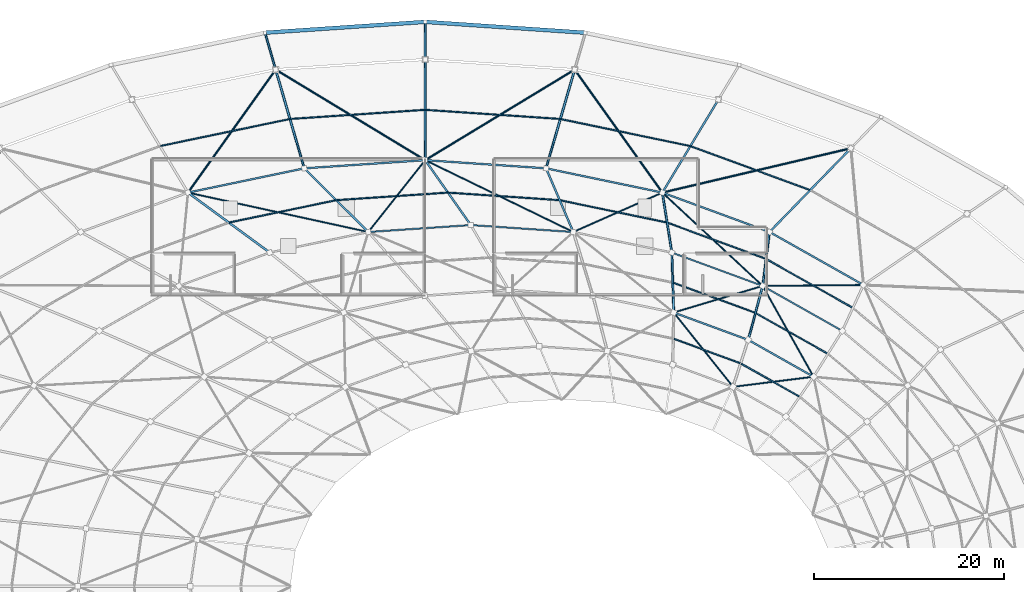
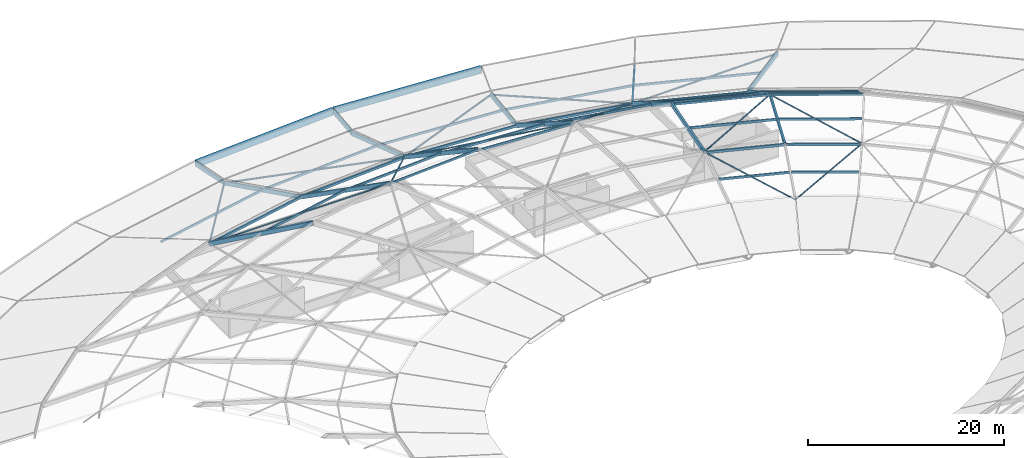
# One storey, part 8 of 30: 57 members, 2 beams.
"""IFC4 building model written with IfcOpenShell, lengths in metres."""

from ifc_helpers import new_model, si_unit, direction, frame, origin, origin_2d, place, context, subcontext, project, spatial, rectangle, hollow_rectangle, hollow_circle, extrude, material, material_profile, profile_set, type_object, element, save


model = new_model("IFC4")

# Units and contexts
model_context = context("Model", 3, precision=1e-05, world=origin(), true_north=direction((0.0, 1.0)))
body_context = subcontext(model_context, "Body", "Model", "MODEL_VIEW")
ifc_project = project(units=[si_unit("LENGTHUNIT", "METRE"), si_unit("AREAUNIT", "SQUARE_METRE"), si_unit("VOLUMEUNIT", "CUBIC_METRE"), si_unit("PLANEANGLEUNIT", "RADIAN"), si_unit("MASSUNIT", "GRAM", prefix="KILO")], contexts=[model_context])

# Site, building, storey
site_placement = place(None, origin())
site = spatial("IfcSite", under=ifc_project, at=site_placement, CompositionType="ELEMENT")
building_placement = place(site_placement, origin())
building = spatial("IfcBuilding", under=site, at=building_placement, Name="Namkhue Oval Health Centre", CompositionType="ELEMENT")
storey_placement = place(building_placement, frame((0.0, 0.0, 26.39990234375)))
storey = spatial("IfcBuildingStorey", under=building, at=storey_placement, Name="RF", CompositionType="ELEMENT", Elevation=26.39990234375)

# Beams
ifc_material_1 = material(Name="Precast architectural concrete C35/45 (TCVN B40)", Category="concrete")
ifc_material_profile_1 = material_profile(ifc_material_1, rectangle(XDim=0.39990234375, YDim=0.75, at=origin_2d()), Name="RC 400x750")
ifc_profile_set_1 = profile_set([ifc_material_profile_1], Name="Precast architectural concrete C35/45 (TCVN B40)")
beam_type = type_object("IfcBeamType", Name="CONCRETE EDGE BAND 400X750", PredefinedType="SPANDREL", material=ifc_profile_set_1)
beam_1_placement = place(storey_placement, frame((103.2158203125, 117.661376953125, 0.7001953125), z_axis=(-0.997715163, 0.067560739492, 0.0), x_axis=(-0.067560739492, -0.997715163, 0.0)))
element("IfcBeam", 1, at=beam_1_placement, inside=storey, type_object=beam_type, Name="Elliptical Roof Concrete Fascia Band 8", PredefinedType="SPANDREL", context=body_context, shape_type="SweptSolid", body=[
    extrude(rectangle(XDim=0.39990234375, YDim=0.75, at=origin_2d()), origin(), (0.0, 0.0, 1.0), 16.814208984375),
])
beam_2_placement = place(storey_placement, frame((86.360107421875, 118.79736328125, 0.7001953125), z_axis=(-0.997715229273, -0.067559760777, 0.0), x_axis=(0.067559760777, -0.997715229273, 0.0)))
element("IfcBeam", 2, at=beam_2_placement, inside=storey, type_object=beam_type, Name="Elliptical Roof Concrete Fascia Band 9", PredefinedType="SPANDREL", context=body_context, shape_type="SweptSolid", body=[
    extrude(rectangle(XDim=0.39990234375, YDim=0.75, at=origin_2d()), origin(), (0.0, 0.0, 1.0), 16.814453125),
])

# Members
ifc_material_2 = material(Name="Structural steel EN 10025-2 S355JR (TCVN 5575:2024)", Category="steel")
ifc_material_profile_2 = material_profile(ifc_material_2, hollow_circle(Radius=0.084228515625, WallThickness=0.008056640625, at=origin_2d()), Name="CHS 168.3x8")
ifc_profile_set_2 = profile_set([ifc_material_profile_2], Name="Structural steel EN 10025-2 S355JR (TCVN 5575:2024)")
member_type_1 = type_object("IfcMemberType", Name="DIAGONAL BRACE CHS 168", PredefinedType="BRACE", material=ifc_profile_set_2)
member_1_placement = place(storey_placement, frame((132.497314453125, 91.111328125, 3.789306640625), z_axis=(-0.952219233501, -0.009190709665, 0.30527702535), x_axis=(0.009651434537, -0.999953423821, 0.0)))
element("IfcMember", 3, at=member_1_placement, inside=storey, type_object=member_type_1, Name="Gridshell Diagonal Brace K2-5", PredefinedType="BRACE", context=body_context, shape_type="SweptSolid", body=[
    extrude(hollow_circle(Radius=0.084228515625, WallThickness=0.008056640625, at=origin_2d()), origin(), (0.0, 0.0, 1.0), 11.0771484375),
])
member_2_placement = place(storey_placement, frame((111.384521484375, 100.813232421875, 3.787109375), z_axis=(0.712553929293, -0.663036320099, 0.229455303011), x_axis=(0.681211590717, 0.732086585502, 0.0)))
element("IfcMember", 4, at=member_2_placement, inside=storey, type_object=member_type_1, Name="Gridshell Diagonal Brace K2-6", PredefinedType="BRACE", context=body_context, shape_type="SweptSolid", body=[
    extrude(hollow_circle(Radius=0.084228515625, WallThickness=0.008056640625, at=origin_2d()), origin(), (0.0, 0.0, 1.0), 14.756591796875),
])
member_3_placement = place(storey_placement, frame((111.337158203125, 100.82177734375, 3.78955078125), z_axis=(-0.868007919865, -0.384020996285, 0.314785840636), x_axis=(0.40458921007, -0.914498535316, 0.0)))
element("IfcMember", 5, at=member_3_placement, inside=storey, type_object=member_type_1, Name="Gridshell Diagonal Brace K2-7", PredefinedType="BRACE", context=body_context, shape_type="SweptSolid", body=[
    extrude(hollow_circle(Radius=0.084228515625, WallThickness=0.008056640625, at=origin_2d()), origin(), (0.0, 0.0, 1.0), 10.740966796875),
])
member_4_placement = place(storey_placement, frame((86.426513671875, 104.234130859375, 3.785888671875), z_axis=(0.882889202682, -0.428276884017, 0.192576131448), x_axis=(0.43644626971, 0.899730322739, 0.0)))
element("IfcMember", 6, at=member_4_placement, inside=storey, type_object=member_type_1, Name="Gridshell Diagonal Brace K2-8", PredefinedType="BRACE", context=body_context, shape_type="SweptSolid", body=[
    extrude(hollow_circle(Radius=0.084228515625, WallThickness=0.008056640625, at=origin_2d()), origin(), (0.0, 0.0, 1.0), 17.59521484375),
])
member_5_placement = place(storey_placement, frame((86.38232421875, 104.224853515625, 3.7900390625), z_axis=(-0.585476240579, -0.739379576204, 0.332468666208), x_axis=(0.783976634545, -0.620790332148, 0.0)))
element("IfcMember", 7, at=member_5_placement, inside=storey, type_object=member_type_1, Name="Gridshell Diagonal Brace K2-9", PredefinedType="BRACE", context=body_context, shape_type="SweptSolid", body=[
    extrude(hollow_circle(Radius=0.084228515625, WallThickness=0.008056640625, at=origin_2d()), origin(), (0.0, 0.0, 1.0), 10.166748046875),
])
member_6_placement = place(storey_placement, frame((61.4658203125, 100.826904296875, 3.785400390625), z_axis=(0.962304376613, -0.210341858229, 0.172414005892), x_axis=(0.213539706388, 0.976934385614, 0.0)))
element("IfcMember", 8, at=member_6_placement, inside=storey, type_object=member_type_1, Name="Gridshell Diagonal Brace K2-10", PredefinedType="BRACE", context=body_context, shape_type="SweptSolid", body=[
    extrude(hollow_circle(Radius=0.084228515625, WallThickness=0.008056640625, at=origin_2d()), origin(), (0.0, 0.0, 1.0), 19.658447265625),
])
member_7_placement = place(storey_placement, frame((121.935302734375, 90.9833984375, 7.17431640625), z_axis=(0.479108458223, -0.855387632038, -0.196893586018), x_axis=(0.872466277254, 0.48867432412, 0.0)))
element("IfcMember", 9, at=member_7_placement, inside=storey, type_object=member_type_1, Name="Gridshell Diagonal Brace K3-5", PredefinedType="BRACE", context=body_context, shape_type="SweptSolid", body=[
    extrude(hollow_circle(Radius=0.084228515625, WallThickness=0.008056640625, at=origin_2d()), origin(), (0.0, 0.0, 1.0), 11.11376953125),
])
member_8_placement = place(storey_placement, frame((121.892822265625, 91.000732421875, 7.173583984375), z_axis=(-0.93472879475, -0.279354384537, -0.219643365722), x_axis=(0.286346909213, -0.958126008197, 0.0)))
element("IfcMember", 10, at=member_8_placement, inside=storey, type_object=member_type_1, Name="Gridshell Diagonal Brace K3-6", PredefinedType="BRACE", context=body_context, shape_type="SweptSolid", body=[
    extrude(hollow_circle(Radius=0.084228515625, WallThickness=0.008056640625, at=origin_2d()), origin(), (0.0, 0.0, 1.0), 9.9560546875),
])
member_9_placement = place(storey_placement, frame((127.24658203125, 81.44775390625, 4.968994140625), z_axis=(-0.921882377736, -0.115415759663, -0.369881175569), x_axis=(0.124225981993, -0.99225395207, 0.0)))
element("IfcMember", 11, at=member_9_placement, inside=storey, type_object=member_type_1, Name="Gridshell Diagonal Brace K4-5", PredefinedType="BRACE", context=body_context, shape_type="SweptSolid", body=[
    extrude(hollow_circle(Radius=0.084228515625, WallThickness=0.008056640625, at=origin_2d()), origin(), (0.0, 0.0, 1.0), 9.1318359375),
])
member_10_placement = place(storey_placement, frame((112.576171875, 88.18896484375, 4.970458984375), z_axis=(0.590639796835, -0.740030635229, -0.321713054314), x_axis=(0.781581695279, 0.623802896439, 0.0)))
element("IfcMember", 12, at=member_10_placement, inside=storey, type_object=member_type_1, Name="Gridshell Diagonal Brace K4-6", PredefinedType="BRACE", context=body_context, shape_type="SweptSolid", body=[
    extrude(hollow_circle(Radius=0.084228515625, WallThickness=0.008056640625, at=origin_2d()), origin(), (0.0, 0.0, 1.0), 10.508056640625),
])
ifc_material_profile_3 = material_profile(ifc_material_2, hollow_circle(Radius=0.109619140625, WallThickness=0.010009765625, at=origin_2d()), Name="CHS 219.1x10")
ifc_profile_set_3 = profile_set([ifc_material_profile_3], Name="Structural steel EN 10025-2 S355JR (TCVN 5575:2024)")
member_type_2 = type_object("IfcMemberType", Name="DIAGONAL BRACE CHS 219", PredefinedType="BRACE", material=ifc_profile_set_3)
member_11_placement = place(storey_placement, frame((131.17236328125, 105.489990234375, 0.28515625), z_axis=(-0.959417449288, -0.225537703519, 0.169265774131), x_axis=(0.228839759926, -0.973464105284, 0.0)))
element("IfcMember", 13, at=member_11_placement, inside=storey, type_object=member_type_2, Name="Gridshell Diagonal Brace K1-6", PredefinedType="BRACE", context=body_context, shape_type="SweptSolid", body=[
    extrude(hollow_circle(Radius=0.109619140625, WallThickness=0.010009765625, at=origin_2d()), origin(), (0.0, 0.0, 1.0), 20.616943359375),
])
member_12_placement = place(storey_placement, frame((102.149169921875, 113.7509765625, 0.28662109375), z_axis=(0.567118199003, -0.795073490057, 0.215023472601), x_axis=(0.81411658814, 0.580701455926, 0.0)))
element("IfcMember", 14, at=member_12_placement, inside=storey, type_object=member_type_2, Name="Gridshell Diagonal Brace K1-7", PredefinedType="BRACE", context=body_context, shape_type="SweptSolid", body=[
    extrude(hollow_circle(Radius=0.109619140625, WallThickness=0.010009765625, at=origin_2d()), origin(), (0.0, 0.0, 1.0), 16.217041015625),
])
for number, where, z_axis, x_axis, name in (
    (15, (102.10693359375, 113.759521484375, 0.28564453125), (-0.840280951517, -0.508901626836, 0.186941318925), (0.518034005705, -0.855360022992, 0.0), "Gridshell Diagonal Brace K1-8"),
    (16, (70.693115234375, 113.759521484375, 0.28564453125), (0.840280951517, -0.508901626836, 0.186941318925), (0.518034005705, 0.855360022992, 0.0), "Gridshell Diagonal Brace K1-9"),
):
    element("IfcMember", number, at=place(storey_placement, frame(where, z_axis=z_axis, x_axis=x_axis)), inside=storey, type_object=member_type_2, Name=name, PredefinedType="BRACE", context=body_context, shape_type="SweptSolid", body=[
        extrude(hollow_circle(Radius=0.109619140625, WallThickness=0.010009765625, at=origin_2d()), origin(), (0.0, 0.0, 1.0), 18.662353515625),
    ])
member_13_placement = place(storey_placement, frame((70.65087890625, 113.7509765625, 0.28662109375), z_axis=(-0.567118199003, -0.795073490057, 0.215023472601), x_axis=(0.81411658814, -0.580701455926, 0.0)))
element("IfcMember", 17, at=member_13_placement, inside=storey, type_object=member_type_2, Name="Gridshell Diagonal Brace K1-10", PredefinedType="BRACE", context=body_context, shape_type="SweptSolid", body=[
    extrude(hollow_circle(Radius=0.109619140625, WallThickness=0.010009765625, at=origin_2d()), origin(), (0.0, 0.0, 1.0), 16.217041015625),
])
ifc_material_3 = material(Name="Glulam timber GL28h", Category="wood")
ifc_material_profile_4 = material_profile(ifc_material_3, rectangle(XDim=0.199951171875, YDim=0.47998046875, at=origin_2d()), Name="GL28h 200x480")
ifc_profile_set_4 = profile_set([ifc_material_profile_4], Name="Glulam timber GL28h")
member_type_3 = type_object("IfcMemberType", Name="GRIDSHELL ARCH RIB GL28H 200X480", PredefinedType="USERDEFINED", material=ifc_profile_set_4)
member_14_placement = place(storey_placement, frame((131.201171875, 105.49658203125, 0.300048828125), z_axis=(-0.670283112557, -0.689648163836, 0.274054664507), x_axis=(0.717103089559, -0.69696711468, 0.0)))
element("IfcMember", 18, at=member_14_placement, inside=storey, type_object=member_type_3, Name="Gridshell Glulam Arch Rib K1-6", ObjectType="ARCH_SEGMENT", PredefinedType="USERDEFINED", context=body_context, shape_type="SweptSolid", body=[
    extrude(rectangle(XDim=0.199951171875, YDim=0.47998046875, at=origin_2d()), origin(), (0.0, 0.0, 1.0), 12.771240234375),
])
member_15_placement = place(storey_placement, frame((122.640869140625, 96.68896484375, 3.800048828125), z_axis=(-0.108121532761, -0.852983200976, 0.510616679131), x_axis=(0.992061871493, -0.125750718205, 0.0)))
element("IfcMember", 19, at=member_15_placement, inside=storey, type_object=member_type_3, Name="Gridshell Glulam Arch Rib K2-6", ObjectType="ARCH_SEGMENT", PredefinedType="USERDEFINED", context=body_context, shape_type="SweptSolid", body=[
    extrude(rectangle(XDim=0.199951171875, YDim=0.47998046875, at=origin_2d()), origin(), (0.0, 0.0, 1.0), 6.658935546875),
])
member_16_placement = place(storey_placement, frame((121.9208984375, 91.009033203125, 7.2001953125), z_axis=(-0.242164612504, -0.904724192275, -0.350471734043), x_axis=(0.965993994619, -0.258564503288, 0.0)))
element("IfcMember", 20, at=member_16_placement, inside=storey, type_object=member_type_3, Name="Gridshell Glulam Arch Rib K3-6", ObjectType="ARCH_SEGMENT", PredefinedType="USERDEFINED", context=body_context, shape_type="SweptSolid", body=[
    extrude(rectangle(XDim=0.199951171875, YDim=0.47998046875, at=origin_2d()), origin(), (0.0, 0.0, 1.0), 6.27783203125),
])
member_17_placement = place(storey_placement, frame((117.259521484375, 110.619873046875, 0.300048828125), z_axis=(-0.493424598626, -0.818989626124, 0.292896155269), x_axis=(0.856554457361, -0.516056645705, 0.0)))
element("IfcMember", 21, at=member_17_placement, inside=storey, type_object=member_type_3, Name="Gridshell Glulam Arch Rib K1-7", ObjectType="ARCH_SEGMENT", PredefinedType="USERDEFINED", context=body_context, shape_type="SweptSolid", body=[
    extrude(rectangle(XDim=0.199951171875, YDim=0.47998046875, at=origin_2d()), origin(), (0.0, 0.0, 1.0), 11.94970703125),
])
member_18_placement = place(storey_placement, frame((111.36328125, 100.833251953125, 3.800048828125), z_axis=(0.137826828537, -0.871958765955, 0.469778326246), x_axis=(0.987736927248, 0.156127392059, 0.0)))
element("IfcMember", 22, at=member_18_placement, inside=storey, type_object=member_type_3, Name="Gridshell Glulam Arch Rib K2-7", ObjectType="ARCH_SEGMENT", PredefinedType="USERDEFINED", context=body_context, shape_type="SweptSolid", body=[
    extrude(rectangle(XDim=0.199951171875, YDim=0.47998046875, at=origin_2d()), origin(), (0.0, 0.0, 1.0), 7.23779296875),
])
member_19_placement = place(storey_placement, frame((112.36083984375, 94.522216796875, 7.2001953125), z_axis=(0.029575150119, -0.943848926635, -0.329050929471), x_axis=(0.999509431928, 0.031319251058, 0.0)))
element("IfcMember", 23, at=member_19_placement, inside=storey, type_object=member_type_3, Name="Gridshell Glulam Arch Rib K3-7", ObjectType="ARCH_SEGMENT", PredefinedType="USERDEFINED", context=body_context, shape_type="SweptSolid", body=[
    extrude(rectangle(XDim=0.199951171875, YDim=0.47998046875, at=origin_2d()), origin(), (0.0, 0.0, 1.0), 6.6865234375),
])
member_20_placement = place(storey_placement, frame((102.132080078125, 113.774658203125, 0.300048828125), z_axis=(-0.264420751952, -0.913939660438, 0.307889530538), x_axis=(0.960603761476, -0.277921595848, 0.0)))
element("IfcMember", 24, at=member_20_placement, inside=storey, type_object=member_type_3, Name="Gridshell Glulam Arch Rib K1-8", ObjectType="ARCH_SEGMENT", PredefinedType="USERDEFINED", context=body_context, shape_type="SweptSolid", body=[
    extrude(rectangle(XDim=0.199951171875, YDim=0.47998046875, at=origin_2d()), origin(), (0.0, 0.0, 1.0), 11.36767578125),
])
member_21_placement = place(storey_placement, frame((99.126220703125, 103.38525390625, 3.800048828125), z_axis=(0.35593328521, -0.833335143138, 0.422923203064), x_axis=(0.919627945779, 0.392790582045, 0.0)))
element("IfcMember", 25, at=member_21_placement, inside=storey, type_object=member_type_3, Name="Gridshell Glulam Arch Rib K2-8", ObjectType="ARCH_SEGMENT", PredefinedType="USERDEFINED", context=body_context, shape_type="SweptSolid", body=[
    extrude(rectangle(XDim=0.199951171875, YDim=0.47998046875, at=origin_2d()), origin(), (0.0, 0.0, 1.0), 8.03955078125),
])
member_22_placement = place(storey_placement, frame((86.39990234375, 114.840087890625, 0.300048828125), z_axis=(0.0, -0.949513771196, 0.313725354903), x_axis=(1.0, 0.0, 0.0)))
element("IfcMember", 26, at=member_22_placement, inside=storey, type_object=member_type_3, Name="Gridshell Glulam Arch Rib K1-9", ObjectType="ARCH_SEGMENT", PredefinedType="USERDEFINED", context=body_context, shape_type="SweptSolid", body=[
    extrude(rectangle(XDim=0.199951171875, YDim=0.47998046875, at=origin_2d()), origin(), (0.0, 0.0, 1.0), 11.15625),
])
member_23_placement = place(storey_placement, frame((86.39990234375, 104.2470703125, 3.800048828125), z_axis=(0.532469200349, -0.75776858887, 0.377178096397), x_axis=(0.818200247827, 0.574933347838, 0.0)))
element("IfcMember", 27, at=member_23_placement, inside=storey, type_object=member_type_3, Name="Gridshell Glulam Arch Rib K2-9", ObjectType="ARCH_SEGMENT", PredefinedType="USERDEFINED", context=body_context, shape_type="SweptSolid", body=[
    extrude(rectangle(XDim=0.199951171875, YDim=0.47998046875, at=origin_2d()), origin(), (0.0, 0.0, 1.0), 9.0146484375),
])
member_24_placement = place(storey_placement, frame((70.66796875, 113.774658203125, 0.300048828125), z_axis=(0.264420751952, -0.913939660438, 0.307889530538), x_axis=(0.960603761476, 0.277921595848, 0.0)))
element("IfcMember", 28, at=member_24_placement, inside=storey, type_object=member_type_3, Name="Gridshell Glulam Arch Rib K1-10", ObjectType="ARCH_SEGMENT", PredefinedType="USERDEFINED", context=body_context, shape_type="SweptSolid", body=[
    extrude(rectangle(XDim=0.199951171875, YDim=0.47998046875, at=origin_2d()), origin(), (0.0, 0.0, 1.0), 11.36767578125),
])
member_25_placement = place(storey_placement, frame((73.673828125, 103.38525390625, 3.800048828125), z_axis=(0.66768885933, -0.663842530261, 0.336904559396), x_axis=(0.705061255078, 0.709146407019, 0.0)))
element("IfcMember", 29, at=member_25_placement, inside=storey, type_object=member_type_3, Name="Gridshell Glulam Arch Rib K2-10", ObjectType="ARCH_SEGMENT", PredefinedType="USERDEFINED", context=body_context, shape_type="SweptSolid", body=[
    extrude(rectangle(XDim=0.199951171875, YDim=0.47998046875, at=origin_2d()), origin(), (0.0, 0.0, 1.0), 10.09228515625),
])
ifc_material_profile_5 = material_profile(ifc_material_3, rectangle(XDim=0.219970703125, YDim=0.52001953125, at=origin_2d()), Name="GL28h 220x520")
ifc_profile_set_5 = profile_set([ifc_material_profile_5], Name="Glulam timber GL28h")
member_type_4 = type_object("IfcMemberType", Name="GRIDSHELL ARCH RIB GL28H 220X520", PredefinedType="USERDEFINED", material=ifc_profile_set_5)
member_26_placement = place(storey_placement, frame((61.436767578125, 100.833251953125, 3.800048828125), z_axis=(0.768216272486, -0.563598428942, 0.30364546692), x_axis=(0.591527338139, 0.806284942334, 0.0)))
element("IfcMember", 30, at=member_26_placement, inside=storey, type_object=member_type_4, Name="Gridshell Glulam Arch Rib K2-11", ObjectType="ARCH_SEGMENT", PredefinedType="USERDEFINED", context=body_context, shape_type="SweptSolid", body=[
    extrude(rectangle(XDim=0.219970703125, YDim=0.52001953125, at=origin_2d()), origin(), (0.0, 0.0, 1.0), 11.19775390625),
])
ifc_material_profile_6 = material_profile(ifc_material_3, rectangle(XDim=0.199951171875, YDim=0.47998046875, at=origin_2d()), Name="GL28h 200x480")
ifc_profile_set_6 = profile_set([ifc_material_profile_6], Name="Glulam timber GL28h")
member_type_5 = type_object("IfcMemberType", Name="GRIDSHELL CANTILEVER RIB GL28H 200X480", PredefinedType="USERDEFINED", material=ifc_profile_set_6)
member_27_placement = place(storey_placement, frame((86.39990234375, 118.800048828125, 0.7001953125), z_axis=(0.0, -0.994933409171, -0.100536119459), x_axis=(1.0, 0.0, 0.0)))
element("IfcMember", 31, at=member_27_placement, inside=storey, type_object=member_type_5, Name="Gridshell Glulam Arch Rib K0-9", ObjectType="ARCH_SEGMENT", PredefinedType="USERDEFINED", context=body_context, shape_type="SweptSolid", body=[
    extrude(rectangle(XDim=0.199951171875, YDim=0.47998046875, at=origin_2d()), origin(), (0.0, 0.0, 1.0), 3.980224609375),
])
member_28_placement = place(storey_placement, frame((69.544189453125, 117.65869140625, 0.7001953125), z_axis=(0.27658233831, -0.955930571405, -0.098483261458), x_axis=(0.960600330565, 0.27793345412, 0.0)))
element("IfcMember", 32, at=member_28_placement, inside=storey, type_object=member_type_5, Name="Gridshell Glulam Arch Rib K0-10", ObjectType="ARCH_SEGMENT", PredefinedType="USERDEFINED", context=body_context, shape_type="SweptSolid", body=[
    extrude(rectangle(XDim=0.199951171875, YDim=0.47998046875, at=origin_2d()), origin(), (0.0, 0.0, 1.0), 4.06298828125),
])
ifc_material_profile_7 = material_profile(ifc_material_2, hollow_rectangle(XDim=0.14990234375, YDim=0.25, WallThickness=0.008056640625, at=origin_2d()), Name="RHS 150x250x8")
ifc_profile_set_7 = profile_set([ifc_material_profile_7], Name="Structural steel EN 10025-2 S355JR (TCVN 5575:2024)")
member_type_6 = type_object("IfcMemberType", Name="GRIDSHELL HOOP PURLIN RHS 150X250", PredefinedType="PURLIN", material=ifc_profile_set_7)
member_29_placement = place(storey_placement, frame((130.247802734375, 86.310791015625, 7.1611328125), z_axis=(-0.870924891215, 0.491416151406, 0.0), x_axis=(-0.491416151406, -0.870924891215, 0.0)))
element("IfcMember", 33, at=member_29_placement, inside=storey, type_object=member_type_6, Name="Gridshell Hoop Purlin K3-5", PredefinedType="PURLIN", context=body_context, shape_type="SweptSolid", body=[
    extrude(hollow_rectangle(XDim=0.14990234375, YDim=0.25, WallThickness=0.008056640625, at=origin_2d()), origin(), (0.0, 0.0, 1.0), 9.5009765625),
])
member_30_placement = place(storey_placement, frame((121.864501953125, 91.02978515625, 7.16650390625), z_axis=(-0.938629376029, 0.344927375624, 0.0), x_axis=(-0.344927375624, -0.938629376029, 0.0)))
element("IfcMember", 34, at=member_30_placement, inside=storey, type_object=member_type_6, Name="Gridshell Hoop Purlin K3-6", PredefinedType="PURLIN", context=body_context, shape_type="SweptSolid", body=[
    extrude(hollow_rectangle(XDim=0.14990234375, YDim=0.25, WallThickness=0.008056640625, at=origin_2d()), origin(), (0.0, 0.0, 1.0), 10.06494140625),
])
for number, where, z_axis, x_axis, name in (
    (35, (101.927978515625, 96.689697265625, 7.097412109375), (-0.99771653977, 0.06754040472, 0.0), (-0.06754040472, -0.99771653977, 0.0), "Gridshell Hoop Purlin K3-8"),
    (36, (91.14013671875, 97.411865234375, 7.185302734375), (-0.99771653977, -0.06754040472, 0.0), (0.06754040472, -0.99771653977, 0.0), "Gridshell Hoop Purlin K3-9"),
):
    element("IfcMember", number, at=place(storey_placement, frame(where, z_axis=z_axis, x_axis=x_axis)), inside=storey, type_object=member_type_6, Name=name, PredefinedType="PURLIN", context=body_context, shape_type="SweptSolid", body=[
        extrude(hollow_rectangle(XDim=0.14990234375, YDim=0.25, WallThickness=0.008056640625, at=origin_2d()), origin(), (0.0, 0.0, 1.0), 10.6923828125),
    ])
ifc_material_profile_8 = material_profile(ifc_material_2, hollow_rectangle(XDim=0.179931640625, YDim=0.300048828125, WallThickness=0.010009765625, at=origin_2d()), Name="RHS 180x300x10")
ifc_profile_set_8 = profile_set([ifc_material_profile_8], Name="Structural steel EN 10025-2 S355JR (TCVN 5575:2024)")
member_type_7 = type_object("IfcMemberType", Name="GRIDSHELL HOOP PURLIN RHS 180X300", PredefinedType="PURLIN", material=ifc_profile_set_8)
member_31_placement = place(storey_placement, frame((132.4736328125, 91.14111328125, 3.730224609375), z_axis=(-0.870936718955, 0.4913951888, 0.0), x_axis=(-0.4913951888, -0.870936718955, 0.0)))
element("IfcMember", 37, at=member_31_placement, inside=storey, type_object=member_type_7, Name="Gridshell Hoop Purlin K2-5", PredefinedType="PURLIN", context=body_context, shape_type="SweptSolid", body=[
    extrude(hollow_rectangle(XDim=0.179931640625, YDim=0.300048828125, WallThickness=0.010009765625, at=origin_2d()), origin(), (0.0, 0.0, 1.0), 11.22998046875),
])
member_32_placement = place(storey_placement, frame((122.584716796875, 96.709716796875, 3.73583984375), z_axis=(-0.938635726109, 0.344910095057, 0.0), x_axis=(-0.344910095057, -0.938635726109, 0.0)))
element("IfcMember", 38, at=member_32_placement, inside=storey, type_object=member_type_7, Name="Gridshell Hoop Purlin K2-6", PredefinedType="PURLIN", context=body_context, shape_type="SweptSolid", body=[
    extrude(hollow_rectangle(XDim=0.179931640625, YDim=0.300048828125, WallThickness=0.010009765625, at=origin_2d()), origin(), (0.0, 0.0, 1.0), 11.895263671875),
])
member_33_placement = place(storey_placement, frame((111.304443359375, 100.845458984375, 3.74267578125), z_axis=(-0.978937414427, 0.204160570718, 0.0), x_axis=(-0.204160570718, -0.978937414427, 0.0)))
element("IfcMember", 39, at=member_33_placement, inside=storey, type_object=member_type_7, Name="Gridshell Hoop Purlin K2-7", PredefinedType="PURLIN", context=body_context, shape_type="SweptSolid", body=[
    extrude(hollow_rectangle(XDim=0.179931640625, YDim=0.300048828125, WallThickness=0.010009765625, at=origin_2d()), origin(), (0.0, 0.0, 1.0), 12.38037109375),
])
for number, where, z_axis, x_axis, name in (
    (40, (99.06640625, 103.389404296875, 3.75048828125), (-0.997715886318, 0.067550056909, 0.0), (-0.067550056909, -0.997715886318, 0.0), "Gridshell Hoop Purlin K2-8"),
    (41, (86.340087890625, 104.242919921875, 3.75830078125), (-0.997715886318, -0.067550056909, 0.0), (0.067550056909, -0.997715886318, 0.0), "Gridshell Hoop Purlin K2-9"),
):
    element("IfcMember", number, at=place(storey_placement, frame(where, z_axis=z_axis, x_axis=x_axis)), inside=storey, type_object=member_type_7, Name=name, PredefinedType="PURLIN", context=body_context, shape_type="SweptSolid", body=[
        extrude(hollow_rectangle(XDim=0.179931640625, YDim=0.300048828125, WallThickness=0.010009765625, at=origin_2d()), origin(), (0.0, 0.0, 1.0), 12.63525390625),
    ])
member_34_placement = place(storey_placement, frame((73.614990234375, 103.373046875, 3.76611328125), z_axis=(-0.978936592445, -0.204164512028, 0.0), x_axis=(0.204164512028, -0.978936592445, 0.0)))
element("IfcMember", 42, at=member_34_placement, inside=storey, type_object=member_type_7, Name="Gridshell Hoop Purlin K2-10", PredefinedType="PURLIN", context=body_context, shape_type="SweptSolid", body=[
    extrude(hollow_rectangle(XDim=0.179931640625, YDim=0.300048828125, WallThickness=0.010009765625, at=origin_2d()), origin(), (0.0, 0.0, 1.0), 12.380126953125),
])
member_35_placement = place(storey_placement, frame((127.22216796875, 81.480712890625, 4.91259765625), z_axis=(-0.87094985898, 0.491371899016, 0.0), x_axis=(-0.491371899016, -0.87094985898, 0.0)))
element("IfcMember", 43, at=member_35_placement, inside=storey, type_object=member_type_7, Name="Gridshell Hoop Purlin K4-5", PredefinedType="PURLIN", context=body_context, shape_type="SweptSolid", body=[
    extrude(hollow_rectangle(XDim=0.179931640625, YDim=0.300048828125, WallThickness=0.010009765625, at=origin_2d()), origin(), (0.0, 0.0, 1.0), 7.772216796875),
])
member_36_placement = place(storey_placement, frame((120.34423828125, 85.35009765625, 4.91357421875), z_axis=(-0.938633328907, 0.344916618714, 0.0), x_axis=(-0.344916618714, -0.938633328907, 0.0)))
element("IfcMember", 44, at=member_36_placement, inside=storey, type_object=member_type_7, Name="Gridshell Hoop Purlin K4-6", PredefinedType="PURLIN", context=body_context, shape_type="SweptSolid", body=[
    extrude(hollow_rectangle(XDim=0.179931640625, YDim=0.300048828125, WallThickness=0.010009765625, at=origin_2d()), origin(), (0.0, 0.0, 1.0), 8.23486328125),
])
ifc_material_profile_9 = material_profile(ifc_material_3, rectangle(XDim=0.139892578125, YDim=0.280029296875, at=origin_2d()), Name="GL28h 140x280")
ifc_profile_set_9 = profile_set([ifc_material_profile_9], Name="Glulam timber GL28h")
member_type_8 = type_object("IfcMemberType", Name="GRIDSHELL SUB PURLIN GL28H 140X280", PredefinedType="PURLIN", material=ifc_profile_set_9)
member_37_placement = place(storey_placement, frame((126.845947265625, 101.120361328125, 2.0498046875), z_axis=(-0.938629175366, 0.344927921676, 0.0), x_axis=(-0.344927921676, -0.938629175366, 0.0)))
element("IfcMember", 45, at=member_37_placement, inside=storey, type_object=member_type_8, Name="Gridshell Secondary Purlin K1-6", PredefinedType="PURLIN", context=body_context, shape_type="SweptSolid", body=[
    extrude(rectangle(XDim=0.139892578125, YDim=0.280029296875, at=origin_2d()), origin(), (0.0, 0.0, 1.0), 13.274169921875),
])
member_38_placement = place(storey_placement, frame((114.233154296875, 105.742919921875, 2.04833984375), z_axis=(-0.978937619666, 0.204159586607, 0.0), x_axis=(-0.204159586607, -0.978937619666, 0.0)))
element("IfcMember", 46, at=member_38_placement, inside=storey, type_object=member_type_8, Name="Gridshell Secondary Purlin K1-7", PredefinedType="PURLIN", context=body_context, shape_type="SweptSolid", body=[
    extrude(rectangle(XDim=0.139892578125, YDim=0.280029296875, at=origin_2d()), origin(), (0.0, 0.0, 1.0), 13.816650390625),
])
for number, where, z_axis, x_axis, name in (
    (47, (100.54931640625, 108.58544921875, 2.047607421875), (-0.997715599602, 0.067554291583, 0.0), (-0.067554291583, -0.997715599602, 0.0), "Gridshell Secondary Purlin K1-8"),
    (48, (86.3203125, 109.5380859375, 2.047607421875), (-0.997715599602, -0.067554291583, 0.0), (0.067554291583, -0.997715599602, 0.0), "Gridshell Secondary Purlin K1-9"),
):
    element("IfcMember", number, at=place(storey_placement, frame(where, z_axis=z_axis, x_axis=x_axis)), inside=storey, type_object=member_type_8, Name=name, PredefinedType="PURLIN", context=body_context, shape_type="SweptSolid", body=[
        extrude(rectangle(XDim=0.139892578125, YDim=0.280029296875, at=origin_2d()), origin(), (0.0, 0.0, 1.0), 14.101806640625),
    ])
member_39_placement = place(storey_placement, frame((72.092529296875, 108.563720703125, 2.04833984375), z_axis=(-0.978937619666, -0.204159586607, 0.0), x_axis=(0.204159586607, -0.978937619666, 0.0)))
element("IfcMember", 49, at=member_39_placement, inside=storey, type_object=member_type_8, Name="Gridshell Secondary Purlin K1-10", PredefinedType="PURLIN", context=body_context, shape_type="SweptSolid", body=[
    extrude(rectangle(XDim=0.139892578125, YDim=0.280029296875, at=origin_2d()), origin(), (0.0, 0.0, 1.0), 13.816650390625),
])
member_40_placement = place(storey_placement, frame((131.343505859375, 88.73583984375, 5.451171875), z_axis=(-0.870935138225, 0.491397990437, 0.0), x_axis=(-0.491397990437, -0.870935138225, 0.0)))
element("IfcMember", 50, at=member_40_placement, inside=storey, type_object=member_type_8, Name="Gridshell Secondary Purlin K2-5", PredefinedType="PURLIN", context=body_context, shape_type="SweptSolid", body=[
    extrude(rectangle(XDim=0.139892578125, YDim=0.280029296875, at=origin_2d()), origin(), (0.0, 0.0, 1.0), 10.32568359375),
])
member_41_placement = place(storey_placement, frame((122.205810546875, 93.876708984375, 5.456298828125), z_axis=(-0.938633491841, 0.344916175314, 0.0), x_axis=(-0.344916175314, -0.938633491841, 0.0)))
element("IfcMember", 51, at=member_41_placement, inside=storey, type_object=member_type_8, Name="Gridshell Secondary Purlin K2-6", PredefinedType="PURLIN", context=body_context, shape_type="SweptSolid", body=[
    extrude(rectangle(XDim=0.139892578125, YDim=0.280029296875, at=origin_2d()), origin(), (0.0, 0.0, 1.0), 10.940185546875),
])
member_42_placement = place(storey_placement, frame((111.78369140625, 97.694091796875, 5.46240234375), z_axis=(-0.978939021999, 0.204152862353, 0.0), x_axis=(-0.204152862353, -0.978939021999, 0.0)))
element("IfcMember", 52, at=member_42_placement, inside=storey, type_object=member_type_8, Name="Gridshell Secondary Purlin K2-7", PredefinedType="PURLIN", context=body_context, shape_type="SweptSolid", body=[
    extrude(rectangle(XDim=0.139892578125, YDim=0.280029296875, at=origin_2d()), origin(), (0.0, 0.0, 1.0), 11.38818359375),
])
member_43_placement = place(storey_placement, frame((100.47705078125, 100.040771484375, 5.46923828125), z_axis=(-0.997714624546, 0.067568690732, 0.0), x_axis=(-0.067568690732, -0.997714624546, 0.0)))
element("IfcMember", 53, at=member_43_placement, inside=storey, type_object=member_type_8, Name="Gridshell Secondary Purlin K2-8", PredefinedType="PURLIN", context=body_context, shape_type="SweptSolid", body=[
    extrude(rectangle(XDim=0.139892578125, YDim=0.280029296875, at=origin_2d()), origin(), (0.0, 0.0, 1.0), 11.623779296875),
])
member_44_placement = place(storey_placement, frame((88.72021484375, 100.826171875, 5.4755859375), z_axis=(-0.997714720436, -0.067567274817, 0.0), x_axis=(0.067567274817, -0.997714720436, 0.0)))
element("IfcMember", 54, at=member_44_placement, inside=storey, type_object=member_type_8, Name="Gridshell Secondary Purlin K2-9", PredefinedType="PURLIN", context=body_context, shape_type="SweptSolid", body=[
    extrude(rectangle(XDim=0.139892578125, YDim=0.280029296875, at=origin_2d()), origin(), (0.0, 0.0, 1.0), 11.6240234375),
])
member_45_placement = place(storey_placement, frame((76.96484375, 100.01904296875, 5.482177734375), z_axis=(-0.978939021999, -0.204152862353, 0.0), x_axis=(0.204152862353, -0.978939021999, 0.0)))
element("IfcMember", 55, at=member_45_placement, inside=storey, type_object=member_type_8, Name="Gridshell Secondary Purlin K2-10", PredefinedType="PURLIN", context=body_context, shape_type="SweptSolid", body=[
    extrude(rectangle(XDim=0.139892578125, YDim=0.280029296875, at=origin_2d()), origin(), (0.0, 0.0, 1.0), 11.38818359375),
])
member_46_placement = place(storey_placement, frame((128.717529296875, 83.905517578125, 6.083740234375), z_axis=(-0.87093390282, 0.491400180014, 0.0), x_axis=(-0.491400180014, -0.87093390282, 0.0)))
element("IfcMember", 56, at=member_46_placement, inside=storey, type_object=member_type_8, Name="Gridshell Secondary Purlin K3-5", PredefinedType="PURLIN", context=body_context, shape_type="SweptSolid", body=[
    extrude(rectangle(XDim=0.139892578125, YDim=0.280029296875, at=origin_2d()), origin(), (0.0, 0.0, 1.0), 8.5966796875),
])
member_47_placement = place(storey_placement, frame((121.085693359375, 88.197021484375, 6.084716796875), z_axis=(-0.938634703535, 0.344912877869, 0.0), x_axis=(-0.344912877869, -0.938634703535, 0.0)))
element("IfcMember", 57, at=member_47_placement, inside=storey, type_object=member_type_8, Name="Gridshell Secondary Purlin K3-6", PredefinedType="PURLIN", context=body_context, shape_type="SweptSolid", body=[
    extrude(rectangle(XDim=0.139892578125, YDim=0.280029296875, at=origin_2d()), origin(), (0.0, 0.0, 1.0), 9.10986328125),
])
member_48_placement = place(storey_placement, frame((125.75, 79.390380859375, 3.235595703125), z_axis=(-0.870937786057, 0.49139329749, 0.0), x_axis=(-0.49139329749, -0.870937786057, 0.0)))
element("IfcMember", 58, at=member_48_placement, inside=storey, type_object=member_type_8, Name="Gridshell Secondary Purlin K4-5", PredefinedType="PURLIN", context=body_context, shape_type="SweptSolid", body=[
    extrude(rectangle(XDim=0.139892578125, YDim=0.280029296875, at=origin_2d()), origin(), (0.0, 0.0, 1.0), 6.98046875),
])
member_49_placement = place(storey_placement, frame((119.525390625, 82.887451171875, 3.23681640625), z_axis=(-0.938626161484, 0.344936123041, 0.0), x_axis=(-0.344936123041, -0.938626161484, 0.0)))
element("IfcMember", 59, at=member_49_placement, inside=storey, type_object=member_type_8, Name="Gridshell Secondary Purlin K4-6", PredefinedType="PURLIN", context=body_context, shape_type="SweptSolid", body=[
    extrude(rectangle(XDim=0.139892578125, YDim=0.280029296875, at=origin_2d()), origin(), (0.0, 0.0, 1.0), 7.399169921875),
])

save(model, "model.ifc")
